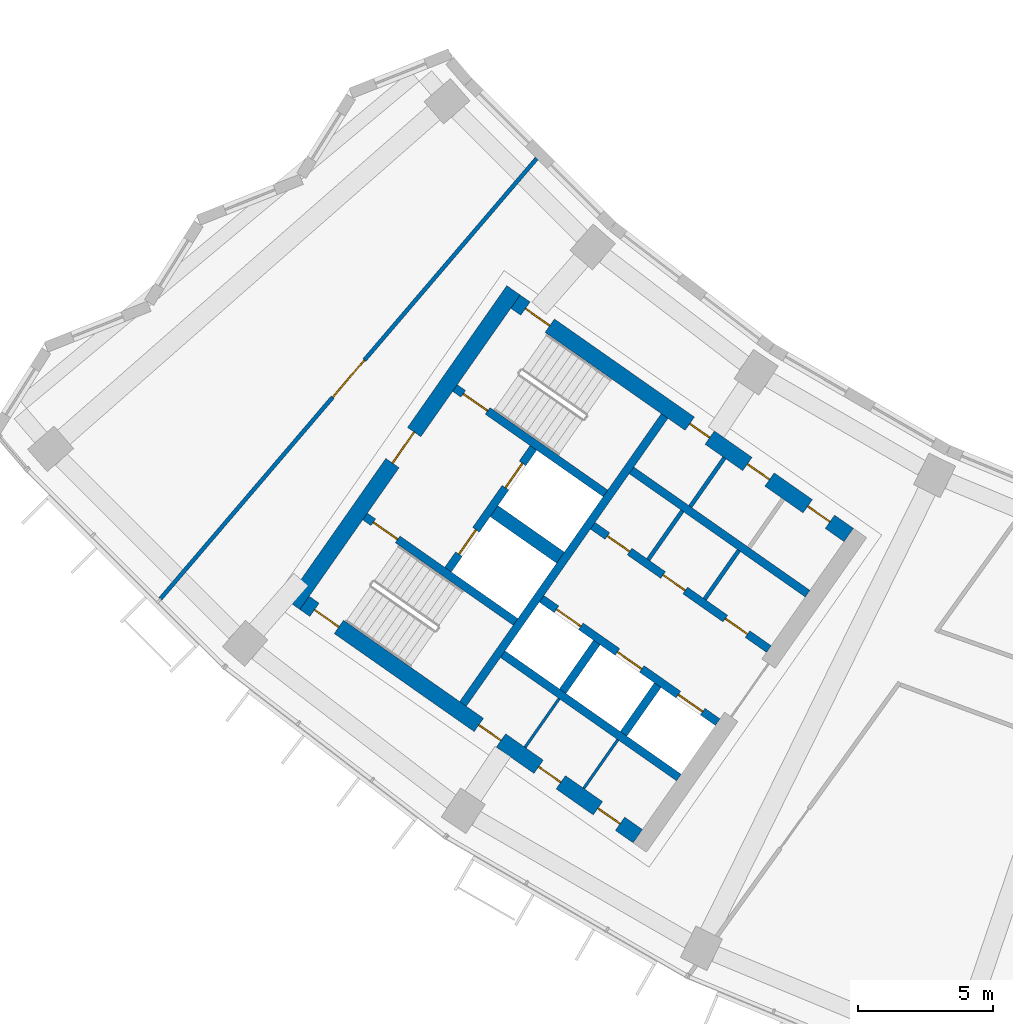
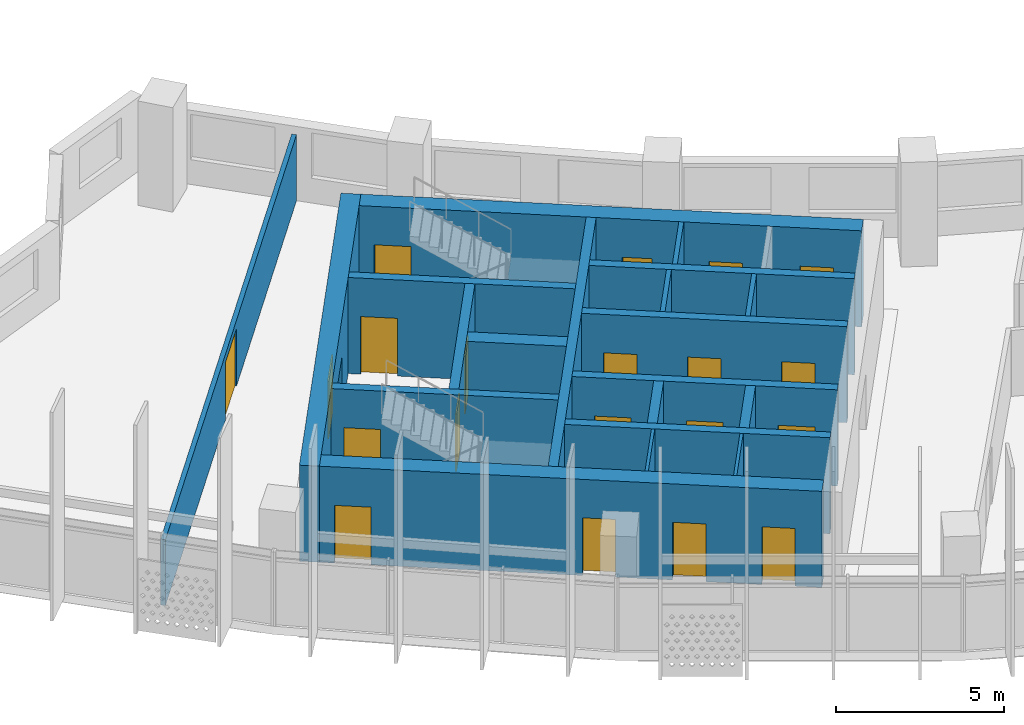
# One storey, part 3 of 26: 20 doors, 20 walls, 20 openings.
"""IFC4 building model written with IfcOpenShell, lengths in metres."""

from ifc_helpers import new_model, si_unit, direction, frame, frame_2d, origin, place, context, subcontext, project, spatial, rectangle, extrude, material, layer, layer_set, type_object, element, fill, save


model = new_model("IFC4")

# Units and contexts
model_context = context("Model", 3, precision=1e-05, world=origin(), true_north=direction((0.0, 1.0)))
body_context = subcontext(model_context, "Body", "Model", "MODEL_VIEW")
ifc_project = project(units=[si_unit("LENGTHUNIT", "METRE"), si_unit("AREAUNIT", "SQUARE_METRE"), si_unit("VOLUMEUNIT", "CUBIC_METRE"), si_unit("PLANEANGLEUNIT", "RADIAN"), si_unit("MASSUNIT", "GRAM", prefix="KILO")], contexts=[model_context])

# Site, building, storey
site_placement = place(None, origin())
site = spatial("IfcSite", under=ifc_project, at=site_placement, CompositionType="ELEMENT")
building_placement = place(site_placement, origin())
building = spatial("IfcBuilding", under=site, at=building_placement, Name="Qamariyya Broadcast Tower", CompositionType="ELEMENT")
storey_placement = place(building_placement, frame((0.0, 0.0, 156.89990234375)))
storey = spatial("IfcBuildingStorey", under=building, at=storey_placement, Name="L36", CompositionType="ELEMENT", Elevation=156.89990234375)

# Wall, opening, door
ifc_material_1 = material(Name="Concrete C60/75", Category="concrete")
ifc_layer_1 = layer(ifc_material_1, 0.60009765625)
ifc_layer_set_1 = layer_set([ifc_layer_1], Name="Core wall 600 mm Concrete C60/75")
wall_type_1 = type_object("IfcWallType", Name="Core wall 600 mm Concrete C60/75", PredefinedType="SHEAR", material=ifc_layer_set_1)
wall_1_placement = place(storey_placement, frame((-49.4833984375, -57.031494140625, 0.0), z_axis=(0.0, 0.0, 1.0), x_axis=(0.573560421458, 0.819163257805, 0.0)))
wall_1 = element("IfcWall", 1, at=wall_1_placement, inside=storey, type_object=wall_type_1, Name="k-W-L36-WH", PredefinedType="SHEAR", context=body_context, shape_type="SweptSolid", body=[
    extrude(rectangle(XDim=14.199951171875, YDim=0.60009765625, at=frame_2d((7.10009765625, 0.0))), origin(), (0.0, 0.0, 1.0), 3.5),
])
opening_1_placement = place(wall_1_placement, frame((6.39990234375, 0.0, 0.0)))
opening_1 = element("IfcOpeningElement", 2, at=opening_1_placement, cuts=wall_1, Name="Opening KD2-W1", PredefinedType="OPENING", context=body_context, shape_type="SweptSolid", body=[
    extrude(rectangle(XDim=1.39990234375, YDim=2.10009765625, at=frame_2d((0.699951171875, 1.050048828125))), frame((0.0, 0.31005859375, 0.0), z_axis=(0.0, -1.0, 0.0), x_axis=(1.0, 0.0, 0.0)), (0.0, 0.0, 1.0), 0.6201171875),
])
ifc_material_2 = material(Name="Steel fire-resisting door leaf", Category="steel")
door_type_1 = type_object("IfcDoorType", Name="Fire-fighting lobby door KD2", OperationType="DOUBLE_DOOR_SINGLE_SWING", PredefinedType="DOOR", material=ifc_material_2)
door_1_placement = place(opening_1_placement, origin())
door_1 = element("IfcDoor", 3, at=door_1_placement, inside=storey, type_object=door_type_1, Name="k-W-L36-WH-D16", OperationType="DOUBLE_DOOR_SINGLE_SWING", OverallHeight=2.10009765625, OverallWidth=1.39990234375, PredefinedType="DOOR", context=body_context, shape_type="SweptSolid", body=[
    extrude(rectangle(XDim=1.39990234375, YDim=2.10009765625, at=frame_2d((0.699951171875, 1.050048828125))), frame((0.0, 0.02490234375, 0.0), z_axis=(0.0, -1.0, 0.0), x_axis=(1.0, 0.0, 0.0)), (0.0, 0.0, 1.0), 0.050048828125),
])
fill(opening_1, door_1)

# Wall, openings, doors
wall_2_placement = place(storey_placement, frame((-28.940673828125, -54.447021484375, 0.0), z_axis=(0.0, 0.0, 1.0), x_axis=(-0.819153391756, 0.573574511963, 0.0)))
wall_2 = element("IfcWall", 4, at=wall_2_placement, inside=storey, type_object=wall_type_1, Name="k-W-L36-WI", PredefinedType="SHEAR", context=body_context, shape_type="SweptSolid", body=[
    extrude(rectangle(XDim=15.04541015625, YDim=0.60009765625, at=frame_2d((7.522705078125, 0.0))), origin(), (0.0, 0.0, 1.0), 3.5),
])
opening_2_placement = place(wall_2_placement, frame((0.85009765625, 0.0, 0.0)))
opening_2 = element("IfcOpeningElement", 5, at=opening_2_placement, cuts=wall_2, Name="Opening KD6-W3", PredefinedType="OPENING", context=body_context, shape_type="SweptSolid", body=[
    extrude(rectangle(XDim=1.0, YDim=2.10009765625, at=frame_2d((0.5, 1.050048828125))), frame((0.0, 0.31005859375, 0.0), z_axis=(0.0, -1.0, 0.0), x_axis=(1.0, 0.0, 0.0)), (0.0, 0.0, 1.0), 0.6201171875),
])
opening_3_placement = place(wall_2_placement, frame((3.574951171875, 0.0, 0.0)))
opening_3 = element("IfcOpeningElement", 6, at=opening_3_placement, cuts=wall_2, Name="Opening KD7-W1", PredefinedType="OPENING", context=body_context, shape_type="SweptSolid", body=[
    extrude(rectangle(XDim=1.0, YDim=2.10009765625, at=frame_2d((0.5, 1.050048828125))), frame((0.0, 0.31005859375, 0.0), z_axis=(0.0, -1.0, 0.0), x_axis=(1.0, 0.0, 0.0)), (0.0, 0.0, 1.0), 0.6201171875),
])
opening_4_placement = place(wall_2_placement, frame((6.27490234375, 0.0, 0.0)))
opening_4 = element("IfcOpeningElement", 7, at=opening_4_placement, cuts=wall_2, Name="Opening KD5-W1", PredefinedType="OPENING", context=body_context, shape_type="SweptSolid", body=[
    extrude(rectangle(XDim=0.89990234375, YDim=2.10009765625, at=frame_2d((0.449951171875, 1.050048828125))), frame((0.0, 0.31005859375, 0.0), z_axis=(0.0, -1.0, 0.0), x_axis=(1.0, 0.0, 0.0)), (0.0, 0.0, 1.0), 0.6201171875),
])
opening_5_placement = place(wall_2_placement, frame((13.495361328125, 0.0, 0.0)))
opening_5 = element("IfcOpeningElement", 8, at=opening_5_placement, cuts=wall_2, Name="Opening KD1-W1", PredefinedType="OPENING", context=body_context, shape_type="SweptSolid", body=[
    extrude(rectangle(XDim=1.10009765625, YDim=2.10009765625, at=frame_2d((0.550048828125, 1.050048828125))), frame((0.0, 0.31005859375, 0.0), z_axis=(0.0, -1.0, 0.0), x_axis=(1.0, 0.0, 0.0)), (0.0, 0.0, 1.0), 0.6201171875),
])
door_type_2 = type_object("IfcDoorType", Name="Accessible toilet door KD7", OperationType="SINGLE_SWING_LEFT", PredefinedType="DOOR", material=ifc_material_2)
door_2_placement = place(opening_3_placement, origin())
door_2 = element("IfcDoor", 9, at=door_2_placement, inside=storey, type_object=door_type_2, Name="k-W-L36-WI-D9", OperationType="SINGLE_SWING_RIGHT", OverallHeight=2.10009765625, OverallWidth=1.0, PredefinedType="DOOR", context=body_context, shape_type="SweptSolid", body=[
    extrude(rectangle(XDim=1.0, YDim=2.10009765625, at=frame_2d((0.5, 1.050048828125))), frame((0.0, 0.02490234375, 0.0), z_axis=(0.0, -1.0, 0.0), x_axis=(1.0, 0.0, 0.0)), (0.0, 0.0, 1.0), 0.050048828125),
])
fill(opening_3, door_2)
door_type_3 = type_object("IfcDoorType", Name="Core room door KD6", OperationType="SINGLE_SWING_LEFT", PredefinedType="DOOR", material=ifc_material_2)
door_3_placement = place(opening_2_placement, origin())
door_3 = element("IfcDoor", 10, at=door_3_placement, inside=storey, type_object=door_type_3, Name="k-W-L36-WI-D8", OperationType="SINGLE_SWING_LEFT", OverallHeight=2.10009765625, OverallWidth=1.0, PredefinedType="DOOR", context=body_context, shape_type="SweptSolid", body=[
    extrude(rectangle(XDim=1.0, YDim=2.10009765625, at=frame_2d((0.5, 1.050048828125))), frame((0.0, 0.02490234375, 0.0), z_axis=(0.0, -1.0, 0.0), x_axis=(1.0, 0.0, 0.0)), (0.0, 0.0, 1.0), 0.050048828125),
])
fill(opening_2, door_3)
door_type_4 = type_object("IfcDoorType", Name="Stair door KD1", OperationType="SINGLE_SWING_LEFT", PredefinedType="DOOR", material=ifc_material_2)
door_4_placement = place(opening_5_placement, origin())
door_4 = element("IfcDoor", 11, at=door_4_placement, inside=storey, type_object=door_type_4, Name="k-W-L36-WI-D17", OperationType="SINGLE_SWING_RIGHT", OverallHeight=2.10009765625, OverallWidth=1.10009765625, PredefinedType="DOOR", context=body_context, shape_type="SweptSolid", body=[
    extrude(rectangle(XDim=1.10009765625, YDim=2.10009765625, at=frame_2d((0.550048828125, 1.050048828125))), frame((0.0, 0.02490234375, 0.0), z_axis=(0.0, -1.0, 0.0), x_axis=(1.0, 0.0, 0.0)), (0.0, 0.0, 1.0), 0.050048828125),
])
fill(opening_5, door_4)
door_type_5 = type_object("IfcDoorType", Name="Toilet door KD5", OperationType="SINGLE_SWING_LEFT", PredefinedType="DOOR", material=ifc_material_2)
door_5_placement = place(opening_4_placement, origin())
door_5 = element("IfcDoor", 12, at=door_5_placement, inside=storey, type_object=door_type_5, Name="k-W-L36-WI-D10", OperationType="SINGLE_SWING_LEFT", OverallHeight=2.10009765625, OverallWidth=0.89990234375, PredefinedType="DOOR", context=body_context, shape_type="SweptSolid", body=[
    extrude(rectangle(XDim=0.89990234375, YDim=2.10009765625, at=frame_2d((0.449951171875, 1.050048828125))), frame((0.0, 0.02490234375, 0.0), z_axis=(0.0, -1.0, 0.0), x_axis=(1.0, 0.0, 0.0)), (0.0, 0.0, 1.0), 0.050048828125),
])
fill(opening_4, door_5)

wall_3_placement = place(storey_placement, frame((-36.7412109375, -65.58740234375, 0.0), z_axis=(0.0, 0.0, 1.0), x_axis=(-0.819153391756, 0.573574511963, 0.0)))
wall_3 = element("IfcWall", 13, at=wall_3_placement, inside=storey, type_object=wall_type_1, Name="k-W-L36-WO", PredefinedType="SHEAR", context=body_context, shape_type="SweptSolid", body=[
    extrude(rectangle(XDim=15.04541015625, YDim=0.60009765625, at=frame_2d((7.522705078125, 0.0))), origin(), (0.0, 0.0, 1.0), 3.5),
])
opening_6_placement = place(wall_3_placement, frame((0.800048828125, 0.0, 0.0)))
opening_6 = element("IfcOpeningElement", 14, at=opening_6_placement, cuts=wall_3, Name="Opening KD4-W2", PredefinedType="OPENING", context=body_context, shape_type="SweptSolid", body=[
    extrude(rectangle(XDim=1.0, YDim=2.10009765625, at=frame_2d((0.5, 1.050048828125))), frame((0.0, 0.31005859375, 0.0), z_axis=(0.0, -1.0, 0.0), x_axis=(1.0, 0.0, 0.0)), (0.0, 0.0, 1.0), 0.6201171875),
])
opening_7_placement = place(wall_3_placement, frame((3.47509765625, 0.0, 0.0)))
opening_7 = element("IfcOpeningElement", 15, at=opening_7_placement, cuts=wall_3, Name="Opening KD4-W3", PredefinedType="OPENING", context=body_context, shape_type="SweptSolid", body=[
    extrude(rectangle(XDim=1.0, YDim=2.10009765625, at=frame_2d((0.5, 1.050048828125))), frame((0.0, 0.31005859375, 0.0), z_axis=(0.0, -1.0, 0.0), x_axis=(1.0, 0.0, 0.0)), (0.0, 0.0, 1.0), 0.6201171875),
])
opening_8_placement = place(wall_3_placement, frame((6.175048828125, 0.0, 0.0)))
opening_8 = element("IfcOpeningElement", 16, at=opening_8_placement, cuts=wall_3, Name="Opening KD4-W4", PredefinedType="OPENING", context=body_context, shape_type="SweptSolid", body=[
    extrude(rectangle(XDim=1.0, YDim=2.10009765625, at=frame_2d((0.5, 1.050048828125))), frame((0.0, 0.31005859375, 0.0), z_axis=(0.0, -1.0, 0.0), x_axis=(1.0, 0.0, 0.0)), (0.0, 0.0, 1.0), 0.6201171875),
])
opening_9_placement = place(wall_3_placement, frame((13.495361328125, 0.0, 0.0)))
opening_9 = element("IfcOpeningElement", 17, at=opening_9_placement, cuts=wall_3, Name="Opening KD1-W3", PredefinedType="OPENING", context=body_context, shape_type="SweptSolid", body=[
    extrude(rectangle(XDim=1.10009765625, YDim=2.10009765625, at=frame_2d((0.550048828125, 1.050048828125))), frame((0.0, 0.31005859375, 0.0), z_axis=(0.0, -1.0, 0.0), x_axis=(1.0, 0.0, 0.0)), (0.0, 0.0, 1.0), 0.6201171875),
])
door_type_6 = type_object("IfcDoorType", Name="Riser and plant door KD4", OperationType="SINGLE_SWING_LEFT", PredefinedType="DOOR", material=ifc_material_2)
door_6_placement = place(opening_6_placement, origin())
door_6 = element("IfcDoor", 18, at=door_6_placement, inside=storey, type_object=door_type_6, Name="k-W-L36-WO-D11", OperationType="SINGLE_SWING_RIGHT", OverallHeight=2.10009765625, OverallWidth=1.0, PredefinedType="DOOR", context=body_context, shape_type="SweptSolid", body=[
    extrude(rectangle(XDim=1.0, YDim=2.10009765625, at=frame_2d((0.5, 1.050048828125))), frame((0.0, 0.02490234375, 0.0), z_axis=(0.0, -1.0, 0.0), x_axis=(1.0, 0.0, 0.0)), (0.0, 0.0, 1.0), 0.050048828125),
])
fill(opening_6, door_6)
door_7_placement = place(opening_7_placement, origin())
door_7 = element("IfcDoor", 19, at=door_7_placement, inside=storey, type_object=door_type_6, Name="k-W-L36-WO-D12", OperationType="SINGLE_SWING_LEFT", OverallHeight=2.10009765625, OverallWidth=1.0, PredefinedType="DOOR", context=body_context, shape_type="SweptSolid", body=[
    extrude(rectangle(XDim=1.0, YDim=2.10009765625, at=frame_2d((0.5, 1.050048828125))), frame((0.0, 0.02490234375, 0.0), z_axis=(0.0, -1.0, 0.0), x_axis=(1.0, 0.0, 0.0)), (0.0, 0.0, 1.0), 0.050048828125),
])
fill(opening_7, door_7)
door_8_placement = place(opening_8_placement, origin())
door_8 = element("IfcDoor", 20, at=door_8_placement, inside=storey, type_object=door_type_6, Name="k-W-L36-WO-D13", OperationType="SINGLE_SWING_RIGHT", OverallHeight=2.10009765625, OverallWidth=1.0, PredefinedType="DOOR", context=body_context, shape_type="SweptSolid", body=[
    extrude(rectangle(XDim=1.0, YDim=2.10009765625, at=frame_2d((0.5, 1.050048828125))), frame((0.0, 0.02490234375, 0.0), z_axis=(0.0, -1.0, 0.0), x_axis=(1.0, 0.0, 0.0)), (0.0, 0.0, 1.0), 0.050048828125),
])
fill(opening_8, door_8)
door_9_placement = place(opening_9_placement, origin())
door_9 = element("IfcDoor", 21, at=door_9_placement, inside=storey, type_object=door_type_4, Name="k-W-L36-WO-D19", OperationType="SINGLE_SWING_LEFT", OverallHeight=2.10009765625, OverallWidth=1.10009765625, PredefinedType="DOOR", context=body_context, shape_type="SweptSolid", body=[
    extrude(rectangle(XDim=1.10009765625, YDim=2.10009765625, at=frame_2d((0.550048828125, 1.050048828125))), frame((0.0, 0.02490234375, 0.0), z_axis=(0.0, -1.0, 0.0), x_axis=(1.0, 0.0, 0.0)), (0.0, 0.0, 1.0), 0.050048828125),
])
fill(opening_9, door_9)

# Wall, opening, door
ifc_material_3 = material(Name="Gypsum board partition")
ifc_layer_2 = layer(ifc_material_3, 0.14990234375)
ifc_layer_set_2 = layer_set([ifc_layer_2], Name="Corridor partition 150 EI 60")
wall_type_2 = type_object("IfcWallType", Name="Corridor partition 150 EI 60", PredefinedType="PARTITIONING", material=ifc_layer_set_2)
wall_4_placement = place(storey_placement, frame((-54.39404296875, -56.8076171875, 0.0), z_axis=(0.0, 0.0, 1.0), x_axis=(0.649633284071, 0.760247720303, 0.0)))
wall_4 = element("IfcWall", 22, at=wall_4_placement, inside=storey, type_object=wall_type_2, Name="Partition L36-001", PredefinedType="PARTITIONING", context=body_context, shape_type="SweptSolid", body=[
    extrude(rectangle(XDim=21.420166015625, YDim=0.14990234375, at=frame_2d((10.7099609375, 0.0))), origin(), (0.0, 0.0, 1.0), 2.400146484375),
])
opening_10_placement = place(wall_4_placement, frame((9.81005859375, 0.0, 0.0)))
opening_10 = element("IfcOpeningElement", 23, at=opening_10_placement, cuts=wall_4, Name="Opening L36-D12", PredefinedType="OPENING", context=body_context, shape_type="SweptSolid", body=[
    extrude(rectangle(XDim=1.800048828125, YDim=2.10009765625, at=frame_2d((0.89990234375, 1.050048828125))), frame((0.0, 0.0849609375, 0.0), z_axis=(0.0, -1.0, 0.0), x_axis=(1.0, 0.0, 0.0)), (0.0, 0.0, 1.0), 0.169921875),
])
ifc_material_4 = material(Name="Timber fire door leaf", Category="wood")
door_type_7 = type_object("IfcDoorType", Name="Double fire door 1800 x 2100 FD60", OperationType="NOTDEFINED", PredefinedType="DOOR", material=ifc_material_4)
door_10_placement = place(opening_10_placement, origin())
door_10 = element("IfcDoor", 24, at=door_10_placement, inside=storey, type_object=door_type_7, Name="Door L36-D12", OperationType="DOUBLE_DOOR_SINGLE_SWING", OverallHeight=2.10009765625, OverallWidth=1.800048828125, PredefinedType="DOOR", context=body_context, shape_type="SweptSolid", body=[
    extrude(rectangle(XDim=1.800048828125, YDim=2.10009765625, at=frame_2d((0.89990234375, 1.050048828125))), frame((0.0, 0.02490234375, 0.0), z_axis=(0.0, -1.0, 0.0), x_axis=(1.0, 0.0, 0.0)), (0.0, 0.0, 1.0), 0.050048828125),
])
fill(opening_10, door_10)

# Walls
ifc_layer_3 = layer(ifc_material_1, 0.5)
ifc_layer_set_3 = layer_set([ifc_layer_3], Name="Fire-fighting lobby divider wall 500 mm Concrete C60/75")
wall_type_3 = type_object("IfcWallType", Name="Fire-fighting lobby divider wall 500 mm Concrete C60/75", PredefinedType="SOLIDWALL", material=ifc_layer_set_3)
wall_5_placement = place(storey_placement, frame((-39.59912109375, -55.28515625, 0.0), z_axis=(0.0, 0.0, 1.0), x_axis=(-0.819136323161, 0.573598887793, 0.0)))
element("IfcWall", 25, at=wall_5_placement, inside=storey, type_object=wall_type_3, Name="k-W-L36-FD", PredefinedType="SOLIDWALL", context=body_context, shape_type="SweptSolid", body=[
    extrude(rectangle(XDim=2.999755859375, YDim=0.5, at=frame_2d((1.5, 0.0))), origin(), (0.0, 0.0, 1.0), 3.5),
])
ifc_material_5 = material(Name="Gypsum board partition on steel studs", Category="steel")
ifc_layer_4 = layer(ifc_material_5, 0.14990234375)
ifc_layer_set_4 = layer_set([ifc_layer_4], Name="Gypsum board partition 150 mm")
wall_type_4 = type_object("IfcWallType", Name="Gypsum board partition 150 mm", PredefinedType="PARTITIONING", material=ifc_layer_set_4)
for number, where, z_axis, x_axis, name in (
    (26, (-34.26611328125, -56.822021484375, 0.0), (0.0, 0.0, 1.0), (0.573581496053, 0.819148501424, 0.0), "k-W-L36-NC300"),
    (27, (-36.35498046875, -55.359375, 0.0), (0.0, 0.0, 1.0), (0.573581496053, 0.819148501424, 0.0), "k-W-L36-NC555"),
):
    element("IfcWall", number, at=place(storey_placement, frame(where, z_axis=z_axis, x_axis=x_axis)), inside=storey, type_object=wall_type_4, Name=name, PredefinedType="PARTITIONING", context=body_context, shape_type="SweptSolid", body=[
        extrude(rectangle(XDim=2.2001953125, YDim=0.14990234375, at=frame_2d((1.10009765625, 0.0))), origin(), (0.0, 0.0, 1.0), 3.5),
    ])
wall_6_placement = place(storey_placement, frame((-34.798095703125, -53.3974609375, 0.0), z_axis=(0.0, 0.0, 1.0), x_axis=(0.573633636671, 0.819111989218, 0.0)))
element("IfcWall", 28, at=wall_6_placement, inside=storey, type_object=wall_type_4, Name="k-W-L36-NP540", PredefinedType="PARTITIONING", context=body_context, shape_type="SweptSolid", body=[
    extrude(rectangle(XDim=2.199951171875, YDim=0.14990234375, at=frame_2d((1.10009765625, 0.0))), origin(), (0.0, 0.0, 1.0), 3.5),
])
ifc_layer_5 = layer(ifc_material_1, 0.300048828125)
ifc_layer_set_5 = layer_set([ifc_layer_5], Name="Lift shaft wall 300 mm Concrete C60/75")
wall_type_5 = type_object("IfcWallType", Name="Lift shaft wall 300 mm Concrete C60/75", PredefinedType="SOLIDWALL", material=ifc_layer_set_5)
wall_7_placement = place(storey_placement, frame((-43.204345703125, -60.69580078125, 0.0), z_axis=(0.0, 0.0, 1.0), x_axis=(0.573571992966, 0.819155155563, 0.0)))
element("IfcWall", 29, at=wall_7_placement, inside=storey, type_object=wall_type_5, Name="k-W-L36-WL", PredefinedType="SOLIDWALL", context=body_context, shape_type="SweptSolid", body=[
    extrude(rectangle(XDim=13.000244140625, YDim=0.300048828125, at=frame_2d((6.5, 0.0))), origin(), (0.0, 0.0, 1.0), 3.5),
])

# Wall, openings, doors
wall_8_placement = place(storey_placement, frame((-31.89453125, -58.66552734375, 0.0), z_axis=(0.0, 0.0, 1.0), x_axis=(-0.819166993208, 0.573555086491, 0.0)))
wall_8 = element("IfcWall", 30, at=wall_8_placement, inside=storey, type_object=wall_type_5, Name="k-W-L36-NF0", PredefinedType="SOLIDWALL", context=body_context, shape_type="SweptSolid", body=[
    extrude(rectangle(XDim=7.9501953125, YDim=0.300048828125, at=frame_2d((3.97509765625, 0.0))), origin(), (0.0, 0.0, 1.0), 3.5),
])
opening_11_placement = place(wall_8_placement, frame((0.96240234375, 0.0, 0.0)))
opening_11 = element("IfcOpeningElement", 31, at=opening_11_placement, cuts=wall_8, Name="Opening KD4-W1", PredefinedType="OPENING", context=body_context, shape_type="SweptSolid", body=[
    extrude(rectangle(XDim=1.0, YDim=2.10009765625, at=frame_2d((0.5, 1.050048828125))), frame((0.0, 0.159912109375, 0.0), z_axis=(0.0, -1.0, 0.0), x_axis=(1.0, 0.0, 0.0)), (0.0, 0.0, 1.0), 0.320068359375),
])
opening_12_placement = place(wall_8_placement, frame((3.77490234375, 0.0, 0.0)))
opening_12 = element("IfcOpeningElement", 32, at=opening_12_placement, cuts=wall_8, Name="Opening KD6-W1", PredefinedType="OPENING", context=body_context, shape_type="SweptSolid", body=[
    extrude(rectangle(XDim=1.0, YDim=2.10009765625, at=frame_2d((0.5, 1.050048828125))), frame((0.0, 0.159912109375, 0.0), z_axis=(0.0, -1.0, 0.0), x_axis=(1.0, 0.0, 0.0)), (0.0, 0.0, 1.0), 0.320068359375),
])
opening_13_placement = place(wall_8_placement, frame((6.28759765625, 0.0, 0.0)))
opening_13 = element("IfcOpeningElement", 33, at=opening_13_placement, cuts=wall_8, Name="Opening KD6-W2", PredefinedType="OPENING", context=body_context, shape_type="SweptSolid", body=[
    extrude(rectangle(XDim=1.0, YDim=2.10009765625, at=frame_2d((0.5, 1.050048828125))), frame((0.0, 0.159912109375, 0.0), z_axis=(0.0, -1.0, 0.0), x_axis=(1.0, 0.0, 0.0)), (0.0, 0.0, 1.0), 0.320068359375),
])
door_11_placement = place(opening_12_placement, origin())
door_11 = element("IfcDoor", 34, at=door_11_placement, inside=storey, type_object=door_type_3, Name="k-W-L36-NF0-D3", OperationType="SINGLE_SWING_RIGHT", OverallHeight=2.10009765625, OverallWidth=1.0, PredefinedType="DOOR", context=body_context, shape_type="SweptSolid", body=[
    extrude(rectangle(XDim=1.0, YDim=2.10009765625, at=frame_2d((0.5, 1.050048828125))), frame((0.0, 0.02490234375, 0.0), z_axis=(0.0, -1.0, 0.0), x_axis=(1.0, 0.0, 0.0)), (0.0, 0.0, 1.0), 0.050048828125),
])
fill(opening_12, door_11)
door_12_placement = place(opening_13_placement, origin())
door_12 = element("IfcDoor", 35, at=door_12_placement, inside=storey, type_object=door_type_3, Name="k-W-L36-NF0-D4", OperationType="SINGLE_SWING_LEFT", OverallHeight=2.10009765625, OverallWidth=1.0, PredefinedType="DOOR", context=body_context, shape_type="SweptSolid", body=[
    extrude(rectangle(XDim=1.0, YDim=2.10009765625, at=frame_2d((0.5, 1.050048828125))), frame((0.0, 0.02490234375, 0.0), z_axis=(0.0, -1.0, 0.0), x_axis=(1.0, 0.0, 0.0)), (0.0, 0.0, 1.0), 0.050048828125),
])
fill(opening_13, door_12)
door_13_placement = place(opening_11_placement, origin())
door_13 = element("IfcDoor", 36, at=door_13_placement, inside=storey, type_object=door_type_6, Name="k-W-L36-NF0-D2", OperationType="SINGLE_SWING_LEFT", OverallHeight=2.10009765625, OverallWidth=1.0, PredefinedType="DOOR", context=body_context, shape_type="SweptSolid", body=[
    extrude(rectangle(XDim=1.0, YDim=2.10009765625, at=frame_2d((0.5, 1.050048828125))), frame((0.0, 0.02490234375, 0.0), z_axis=(0.0, -1.0, 0.0), x_axis=(1.0, 0.0, 0.0)), (0.0, 0.0, 1.0), 0.050048828125),
])
fill(opening_11, door_13)

# Wall
wall_9_placement = place(storey_placement, frame((-30.460693359375, -56.61767578125, 0.0), z_axis=(0.0, 0.0, 1.0), x_axis=(-0.819142461705, 0.573590121456, 0.0)))
element("IfcWall", 37, at=wall_9_placement, inside=storey, type_object=wall_type_5, Name="k-W-L36-NB0", PredefinedType="SOLIDWALL", context=body_context, shape_type="SweptSolid", body=[
    extrude(rectangle(XDim=7.949951171875, YDim=0.300048828125, at=frame_2d((3.97509765625, 0.0))), origin(), (0.0, 0.0, 1.0), 3.5),
])

# Wall, openings, doors
wall_10_placement = place(storey_placement, frame((-33.787353515625, -61.368896484375, 0.0), z_axis=(0.0, 0.0, 1.0), x_axis=(-0.819152564888, 0.573575692858, 0.0)))
wall_10 = element("IfcWall", 38, at=wall_10_placement, inside=storey, type_object=wall_type_5, Name="k-W-L36-SF0", PredefinedType="SOLIDWALL", context=body_context, shape_type="SweptSolid", body=[
    extrude(rectangle(XDim=7.9501953125, YDim=0.300048828125, at=frame_2d((3.97509765625, 0.0))), origin(), (0.0, 0.0, 1.0), 3.5),
])
opening_14_placement = place(wall_10_placement, frame((0.675048828125, 0.0, 0.0)))
opening_14 = element("IfcOpeningElement", 39, at=opening_14_placement, cuts=wall_10, Name="Opening LD", PredefinedType="OPENING", context=body_context, shape_type="SweptSolid", body=[
    extrude(rectangle(XDim=1.10009765625, YDim=2.10009765625, at=frame_2d((0.550048828125, 1.050048828125))), frame((0.0, 0.159912109375, 0.0), z_axis=(0.0, -1.0, 0.0), x_axis=(1.0, 0.0, 0.0)), (0.0, 0.0, 1.0), 0.320068359375),
])
opening_15_placement = place(wall_10_placement, frame((3.425048828125, 0.0, 0.0)))
opening_15 = element("IfcOpeningElement", 40, at=opening_15_placement, cuts=wall_10, Name="Opening LD", PredefinedType="OPENING", context=body_context, shape_type="SweptSolid", body=[
    extrude(rectangle(XDim=1.10009765625, YDim=2.10009765625, at=frame_2d((0.550048828125, 1.050048828125))), frame((0.0, 0.159912109375, 0.0), z_axis=(0.0, -1.0, 0.0), x_axis=(1.0, 0.0, 0.0)), (0.0, 0.0, 1.0), 0.320068359375),
])
opening_16_placement = place(wall_10_placement, frame((6.175048828125, 0.0, 0.0)))
opening_16 = element("IfcOpeningElement", 41, at=opening_16_placement, cuts=wall_10, Name="Opening LD", PredefinedType="OPENING", context=body_context, shape_type="SweptSolid", body=[
    extrude(rectangle(XDim=1.10009765625, YDim=2.10009765625, at=frame_2d((0.550048828125, 1.050048828125))), frame((0.0, 0.159912109375, 0.0), z_axis=(0.0, -1.0, 0.0), x_axis=(1.0, 0.0, 0.0)), (0.0, 0.0, 1.0), 0.320068359375),
])
door_type_8 = type_object("IfcDoorType", Name="Lift landing door LD", OperationType="DOUBLE_DOOR_SLIDING", PredefinedType="DOOR", material=ifc_material_2)
door_14_placement = place(opening_14_placement, origin())
door_14 = element("IfcDoor", 42, at=door_14_placement, inside=storey, type_object=door_type_8, Name="k-W-L36-SF0-D5", OperationType="DOUBLE_DOOR_SLIDING", OverallHeight=2.10009765625, OverallWidth=1.10009765625, PredefinedType="DOOR", context=body_context, shape_type="SweptSolid", body=[
    extrude(rectangle(XDim=1.10009765625, YDim=2.10009765625, at=frame_2d((0.550048828125, 1.050048828125))), frame((0.0, 0.02490234375, 0.0), z_axis=(0.0, -1.0, 0.0), x_axis=(1.0, 0.0, 0.0)), (0.0, 0.0, 1.0), 0.050048828125),
])
fill(opening_14, door_14)
door_15_placement = place(opening_15_placement, origin())
door_15 = element("IfcDoor", 43, at=door_15_placement, inside=storey, type_object=door_type_8, Name="k-W-L36-SF0-D6", OperationType="DOUBLE_DOOR_SLIDING", OverallHeight=2.10009765625, OverallWidth=1.10009765625, PredefinedType="DOOR", context=body_context, shape_type="SweptSolid", body=[
    extrude(rectangle(XDim=1.10009765625, YDim=2.10009765625, at=frame_2d((0.550048828125, 1.050048828125))), frame((0.0, 0.02490234375, 0.0), z_axis=(0.0, -1.0, 0.0), x_axis=(1.0, 0.0, 0.0)), (0.0, 0.0, 1.0), 0.050048828125),
])
fill(opening_15, door_15)
door_16_placement = place(opening_16_placement, origin())
door_16 = element("IfcDoor", 44, at=door_16_placement, inside=storey, type_object=door_type_8, Name="k-W-L36-SF0-D7", OperationType="DOUBLE_DOOR_SLIDING", OverallHeight=2.10009765625, OverallWidth=1.10009765625, PredefinedType="DOOR", context=body_context, shape_type="SweptSolid", body=[
    extrude(rectangle(XDim=1.10009765625, YDim=2.10009765625, at=frame_2d((0.550048828125, 1.050048828125))), frame((0.0, 0.02490234375, 0.0), z_axis=(0.0, -1.0, 0.0), x_axis=(1.0, 0.0, 0.0)), (0.0, 0.0, 1.0), 0.050048828125),
])
fill(opening_16, door_16)

# Walls
wall_11_placement = place(storey_placement, frame((-35.22119140625, -63.41650390625, 0.0), z_axis=(0.0, 0.0, 1.0), x_axis=(-0.819166993208, 0.573555086491, 0.0)))
element("IfcWall", 45, at=wall_11_placement, inside=storey, type_object=wall_type_5, Name="k-W-L36-SB0", PredefinedType="SOLIDWALL", context=body_context, shape_type="SweptSolid", body=[
    extrude(rectangle(XDim=7.9501953125, YDim=0.300048828125, at=frame_2d((3.97509765625, 0.0))), origin(), (0.0, 0.0, 1.0), 3.5),
])
wall_12_placement = place(storey_placement, frame((-36.003173828125, -60.000244140625, 0.0), z_axis=(0.0, 0.0, 1.0), x_axis=(-0.573581496053, -0.819148501424, 0.0)))
element("IfcWall", 46, at=wall_12_placement, inside=storey, type_object=wall_type_5, Name="k-W-L36-SD0", PredefinedType="SOLIDWALL", context=body_context, shape_type="SweptSolid", body=[
    extrude(rectangle(XDim=2.2001953125, YDim=0.300048828125, at=frame_2d((1.10009765625, 0.0))), origin(), (0.0, 0.0, 1.0), 3.5),
])
wall_13_placement = place(storey_placement, frame((-38.255859375, -58.423095703125, 0.0), z_axis=(0.0, 0.0, 1.0), x_axis=(-0.573633636671, -0.819111989218, 0.0)))
element("IfcWall", 47, at=wall_13_placement, inside=storey, type_object=wall_type_5, Name="k-W-L36-SD1", PredefinedType="SOLIDWALL", context=body_context, shape_type="SweptSolid", body=[
    extrude(rectangle(XDim=2.199951171875, YDim=0.300048828125, at=frame_2d((1.10009765625, 0.0))), origin(), (0.0, 0.0, 1.0), 3.5),
])

# Wall, opening, door
wall_14_placement = place(storey_placement, frame((-37.935546875, -52.90966796875, 0.0), z_axis=(0.0, 0.0, 1.0), x_axis=(-0.819147518138, 0.57358290031, 0.0)))
wall_14 = element("IfcWall", 48, at=wall_14_placement, inside=storey, type_object=wall_type_5, Name="k-W-L36-NW", PredefinedType="SOLIDWALL", context=body_context, shape_type="SweptSolid", body=[
    extrude(rectangle(XDim=6.79541015625, YDim=0.300048828125, at=frame_2d((3.397705078125, 0.0))), origin(), (0.0, 0.0, 1.0), 3.5),
])
opening_17_placement = place(wall_14_placement, frame((5.3203125, 0.0, 0.0)))
opening_17 = element("IfcOpeningElement", 49, at=opening_17_placement, cuts=wall_14, Name="Opening KD1-W2", PredefinedType="OPENING", context=body_context, shape_type="SweptSolid", body=[
    extrude(rectangle(XDim=1.10009765625, YDim=2.10009765625, at=frame_2d((0.550048828125, 1.050048828125))), frame((0.0, 0.159912109375, 0.0), z_axis=(0.0, -1.0, 0.0), x_axis=(1.0, 0.0, 0.0)), (0.0, 0.0, 1.0), 0.320068359375),
])
door_17_placement = place(opening_17_placement, origin())
door_17 = element("IfcDoor", 50, at=door_17_placement, inside=storey, type_object=door_type_4, Name="k-W-L36-NW-D18", OperationType="SINGLE_SWING_LEFT", OverallHeight=2.10009765625, OverallWidth=1.10009765625, PredefinedType="DOOR", context=body_context, shape_type="SweptSolid", body=[
    extrude(rectangle(XDim=1.10009765625, YDim=2.10009765625, at=frame_2d((0.550048828125, 1.050048828125))), frame((0.0, 0.02490234375, 0.0), z_axis=(0.0, -1.0, 0.0), x_axis=(1.0, 0.0, 0.0)), (0.0, 0.0, 1.0), 0.050048828125),
])
fill(opening_17, door_17)

wall_15_placement = place(storey_placement, frame((-41.262451171875, -57.66064453125, 0.0), z_axis=(0.0, 0.0, 1.0), x_axis=(-0.819164398642, 0.573558792102, 0.0)))
wall_15 = element("IfcWall", 51, at=wall_15_placement, inside=storey, type_object=wall_type_5, Name="k-W-L36-SW", PredefinedType="SOLIDWALL", context=body_context, shape_type="SweptSolid", body=[
    extrude(rectangle(XDim=6.795166015625, YDim=0.300048828125, at=frame_2d((3.3974609375, 0.0))), origin(), (0.0, 0.0, 1.0), 3.5),
])
opening_18_placement = place(wall_15_placement, frame((5.3203125, 0.0, 0.0)))
opening_18 = element("IfcOpeningElement", 52, at=opening_18_placement, cuts=wall_15, Name="Opening KD1-W4", PredefinedType="OPENING", context=body_context, shape_type="SweptSolid", body=[
    extrude(rectangle(XDim=1.10009765625, YDim=2.10009765625, at=frame_2d((0.550048828125, 1.050048828125))), frame((0.0, 0.159912109375, 0.0), z_axis=(0.0, -1.0, 0.0), x_axis=(1.0, 0.0, 0.0)), (0.0, 0.0, 1.0), 0.320068359375),
])
door_18_placement = place(opening_18_placement, origin())
door_18 = element("IfcDoor", 53, at=door_18_placement, inside=storey, type_object=door_type_4, Name="k-W-L36-SW-D20", OperationType="SINGLE_SWING_LEFT", OverallHeight=2.10009765625, OverallWidth=1.10009765625, PredefinedType="DOOR", context=body_context, shape_type="SweptSolid", body=[
    extrude(rectangle(XDim=1.10009765625, YDim=2.10009765625, at=frame_2d((0.550048828125, 1.050048828125))), frame((0.0, 0.02490234375, 0.0), z_axis=(0.0, -1.0, 0.0), x_axis=(1.0, 0.0, 0.0)), (0.0, 0.0, 1.0), 0.050048828125),
])
fill(opening_18, door_18)

# Wall, openings, doors
wall_16_placement = place(storey_placement, frame((-43.756591796875, -55.731201171875, 0.0), z_axis=(0.0, 0.0, 1.0), x_axis=(0.573536818435, 0.819179783625, 0.0)))
wall_16 = element("IfcWall", 54, at=wall_16_placement, inside=storey, type_object=wall_type_5, Name="k-W-L36-FF", PredefinedType="SOLIDWALL", context=body_context, shape_type="SweptSolid", body=[
    extrude(rectangle(XDim=5.500244140625, YDim=0.300048828125, at=frame_2d((2.75, 0.0))), origin(), (0.0, 0.0, 1.0), 3.5),
])
opening_19_placement = place(wall_16_placement, frame((0.699951171875, 0.0, 0.0)))
opening_19 = element("IfcOpeningElement", 55, at=opening_19_placement, cuts=wall_16, Name="Opening LD", PredefinedType="OPENING", context=body_context, shape_type="SweptSolid", body=[
    extrude(rectangle(XDim=1.10009765625, YDim=2.10009765625, at=frame_2d((0.550048828125, 1.050048828125))), frame((0.0, 0.159912109375, 0.0), z_axis=(0.0, -1.0, 0.0), x_axis=(1.0, 0.0, 0.0)), (0.0, 0.0, 1.0), 0.320068359375),
])
opening_20_placement = place(wall_16_placement, frame((3.699951171875, 0.0, 0.0)))
opening_20 = element("IfcOpeningElement", 56, at=opening_20_placement, cuts=wall_16, Name="Opening LD", PredefinedType="OPENING", context=body_context, shape_type="SweptSolid", body=[
    extrude(rectangle(XDim=1.10009765625, YDim=2.10009765625, at=frame_2d((0.550048828125, 1.050048828125))), frame((0.0, 0.159912109375, 0.0), z_axis=(0.0, -1.0, 0.0), x_axis=(1.0, 0.0, 0.0)), (0.0, 0.0, 1.0), 0.320068359375),
])
door_19_placement = place(opening_19_placement, origin())
door_19 = element("IfcDoor", 57, at=door_19_placement, inside=storey, type_object=door_type_8, Name="k-W-L36-FF-D14", OperationType="DOUBLE_DOOR_SLIDING", OverallHeight=2.10009765625, OverallWidth=1.10009765625, PredefinedType="DOOR", context=body_context, shape_type="SweptSolid", body=[
    extrude(rectangle(XDim=1.10009765625, YDim=2.10009765625, at=frame_2d((0.550048828125, 1.050048828125))), frame((0.0, 0.02490234375, 0.0), z_axis=(0.0, -1.0, 0.0), x_axis=(1.0, 0.0, 0.0)), (0.0, 0.0, 1.0), 0.050048828125),
])
fill(opening_19, door_19)
door_20_placement = place(opening_20_placement, origin())
door_20 = element("IfcDoor", 58, at=door_20_placement, inside=storey, type_object=door_type_8, Name="k-W-L36-FF-D15", OperationType="DOUBLE_DOOR_SLIDING", OverallHeight=2.10009765625, OverallWidth=1.10009765625, PredefinedType="DOOR", context=body_context, shape_type="SweptSolid", body=[
    extrude(rectangle(XDim=1.10009765625, YDim=2.10009765625, at=frame_2d((0.550048828125, 1.050048828125))), frame((0.0, 0.02490234375, 0.0), z_axis=(0.0, -1.0, 0.0), x_axis=(1.0, 0.0, 0.0)), (0.0, 0.0, 1.0), 0.050048828125),
])
fill(opening_20, door_20)

# Walls
ifc_material_6 = material(Name="Fire-rated gypsum shaft liner on steel studs", Category="steel")
ifc_layer_6 = layer(ifc_material_6, 0.10009765625)
ifc_layer_set_6 = layer_set([ifc_layer_6], Name="Riser wall 100 mm")
wall_type_6 = type_object("IfcWallType", Name="Riser wall 100 mm", PredefinedType="PLUMBINGWALL", material=ifc_layer_set_6)
wall_17_placement = place(storey_placement, frame((-37.47802734375, -62.01953125, 0.0), z_axis=(0.0, 0.0, 1.0), x_axis=(-0.573581496053, -0.819148501424, 0.0)))
element("IfcWall", 59, at=wall_17_placement, inside=storey, type_object=wall_type_6, Name="k-W-L36-SP265", PredefinedType="PLUMBINGWALL", context=body_context, shape_type="SweptSolid", body=[
    extrude(rectangle(XDim=2.2001953125, YDim=0.10009765625, at=frame_2d((1.10009765625, 0.0))), origin(), (0.0, 0.0, 1.0), 3.5),
])
wall_18_placement = place(storey_placement, frame((-39.64892578125, -60.49951171875, 0.0), z_axis=(0.0, 0.0, 1.0), x_axis=(-0.573507030513, -0.819200638399, 0.0)))
element("IfcWall", 60, at=wall_18_placement, inside=storey, type_object=wall_type_6, Name="k-W-L36-SP530", PredefinedType="PLUMBINGWALL", context=body_context, shape_type="SweptSolid", body=[
    extrude(rectangle(XDim=2.199951171875, YDim=0.10009765625, at=frame_2d((1.10009765625, 0.0))), origin(), (0.0, 0.0, 1.0), 3.5),
])

save(model, "model.ifc")
